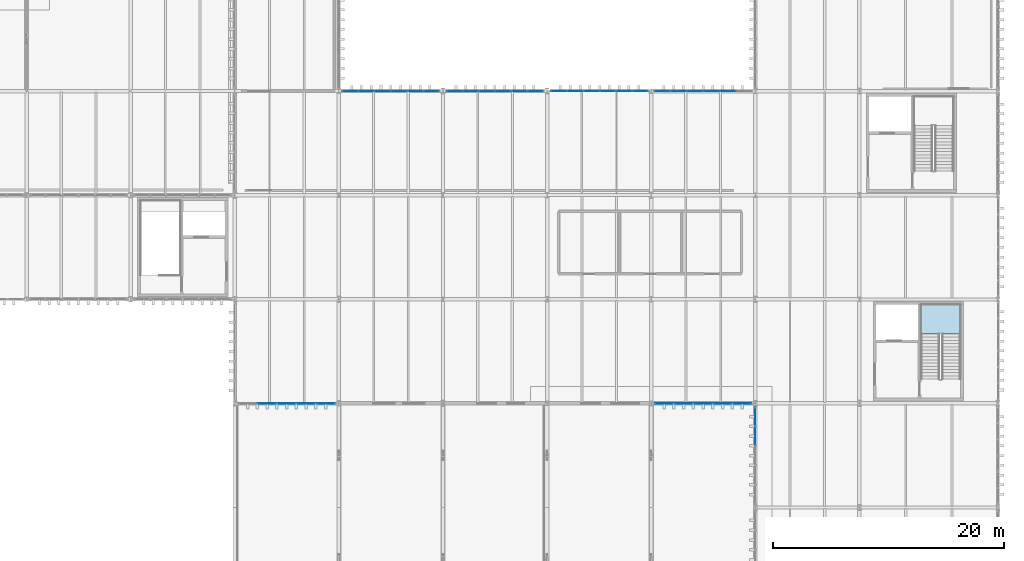
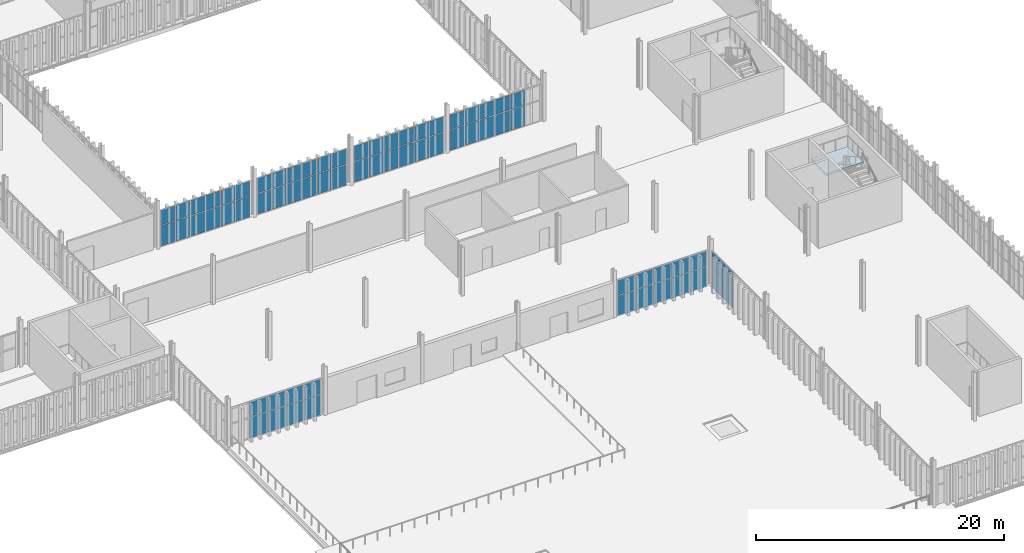
# One storey, part 166 of 196: 68 plates, 1 slab, 8 elements without a shape of their own.
"""IFC4 building model written with IfcOpenShell, lengths in metres."""

from ifc_helpers import new_model, si_unit, direction, frame, origin, origin_2d, place, context, subcontext, project, spatial, polyline, rectangle, outline, extrude, material, layer, layer_set, type_object, element, aggregate, save


model = new_model("IFC4")

# Units and contexts
model_context = context("Model", 3, precision=1e-05, world=origin(), true_north=direction((0.0, 1.0)))
body_context = subcontext(model_context, "Body", "Model", "MODEL_VIEW")
ifc_project = project(units=[si_unit("LENGTHUNIT", "METRE"), si_unit("AREAUNIT", "SQUARE_METRE"), si_unit("VOLUMEUNIT", "CUBIC_METRE"), si_unit("PLANEANGLEUNIT", "RADIAN"), si_unit("MASSUNIT", "GRAM", prefix="KILO")], contexts=[model_context])

# Site, building, storey
site_placement = place(None, origin())
site = spatial("IfcSite", under=ifc_project, at=site_placement, CompositionType="ELEMENT")
building_placement = place(site_placement, origin())
building = spatial("IfcBuilding", under=site, at=building_placement, Name="Barlavento Convention Centre", CompositionType="ELEMENT")
storey_placement = place(building_placement, frame((0.0, 0.0, 18.0)))
storey = spatial("IfcBuildingStorey", under=building, at=storey_placement, Name="L03", CompositionType="ELEMENT", Elevation=18.0)

# Curtain wall, plates
ifc_material_1 = material(Name="Powder-coated aluminium and Low-E glass", Category="aluminium")
ifc_layer_1 = layer(ifc_material_1, 0.179931640625)
ifc_layer_set_1 = layer_set([ifc_layer_1], Name="ARC-CW-PATIO-B")
curtain_wall_type_1 = type_object("IfcCurtainWallType", Name="ARC-CW-PATIO-B", PredefinedType="NOTDEFINED", material=ifc_layer_set_1)
curtain_wall_1_placement = place(storey_placement, origin())
curtain_wall_1 = element("IfcCurtainWall", 1, at=curtain_wall_1_placement, inside=storey, type_object=curtain_wall_type_1, Name="L03 unitised curtain wall CW12", PredefinedType="NOTDEFINED")
ifc_material_2 = material(Name="Double-silver Low-E insulated glass", Category="glass")
ifc_layer_2 = layer(ifc_material_2, 0.028076171875)
ifc_layer_set_2 = layer_set([ifc_layer_2], Name="ARC-CWP-GLZ28")
plate_type = type_object("IfcPlateType", Name="ARC-CWP-GLZ28", PredefinedType="CURTAIN_PANEL", material=ifc_layer_set_2)
plate_1_placement = place(storey_placement, frame((135.9794921875, 63.0, 0.06005859375), z_axis=(0.0, 0.0, 1.0), x_axis=(1.0, 0.0, 0.0)))
plate_1 = element("IfcPlate", 2, at=plate_1_placement, type_object=plate_type, Name="CW12 panel 1.1", PredefinedType="CURTAIN_PANEL", context=body_context, shape_type="SweptSolid", body=[
    extrude(rectangle(XDim=1.319091796875, YDim=0.028076171875, at=origin_2d()), origin(), (0.0, 0.0, 1.0), 2.010009765625),
])
plate_2_placement = place(storey_placement, frame((135.9794921875, 63.0, 2.130126953125), z_axis=(0.0, 0.0, 1.0), x_axis=(1.0, 0.0, 0.0)))
plate_2 = element("IfcPlate", 3, at=plate_2_placement, type_object=plate_type, Name="CW12 panel 1.2", PredefinedType="CURTAIN_PANEL", context=body_context, shape_type="SweptSolid", body=[
    extrude(rectangle(XDim=1.319091796875, YDim=0.028076171875, at=origin_2d()), origin(), (0.0, 0.0, 1.0), 1.4599609375),
])
plate_3_placement = place(storey_placement, frame((137.373779296875, 63.0, 0.06005859375), z_axis=(0.0, 0.0, 1.0), x_axis=(1.0, 0.0, 0.0)))
plate_3 = element("IfcPlate", 4, at=plate_3_placement, type_object=plate_type, Name="CW12 panel 2.1", PredefinedType="CURTAIN_PANEL", context=body_context, shape_type="SweptSolid", body=[
    extrude(rectangle(XDim=1.34912109375, YDim=0.028076171875, at=origin_2d()), origin(), (0.0, 0.0, 1.0), 2.010009765625),
])
plate_4_placement = place(storey_placement, frame((137.373779296875, 63.0, 2.130126953125), z_axis=(0.0, 0.0, 1.0), x_axis=(1.0, 0.0, 0.0)))
plate_4 = element("IfcPlate", 5, at=plate_4_placement, type_object=plate_type, Name="CW12 panel 2.2", PredefinedType="CURTAIN_PANEL", context=body_context, shape_type="SweptSolid", body=[
    extrude(rectangle(XDim=1.34912109375, YDim=0.028076171875, at=origin_2d()), origin(), (0.0, 0.0, 1.0), 1.4599609375),
])
plate_5_placement = place(storey_placement, frame((138.782958984375, 63.0, 0.06005859375), z_axis=(0.0, 0.0, 1.0), x_axis=(1.0, 0.0, 0.0)))
plate_5 = element("IfcPlate", 6, at=plate_5_placement, type_object=plate_type, Name="CW12 panel 3.1", PredefinedType="CURTAIN_PANEL", context=body_context, shape_type="SweptSolid", body=[
    extrude(rectangle(XDim=1.34912109375, YDim=0.028076171875, at=origin_2d()), origin(), (0.0, 0.0, 1.0), 2.010009765625),
])
plate_6_placement = place(storey_placement, frame((138.782958984375, 63.0, 2.130126953125), z_axis=(0.0, 0.0, 1.0), x_axis=(1.0, 0.0, 0.0)))
plate_6 = element("IfcPlate", 7, at=plate_6_placement, type_object=plate_type, Name="CW12 panel 3.2", PredefinedType="CURTAIN_PANEL", context=body_context, shape_type="SweptSolid", body=[
    extrude(rectangle(XDim=1.34912109375, YDim=0.028076171875, at=origin_2d()), origin(), (0.0, 0.0, 1.0), 1.4599609375),
])
plate_7_placement = place(storey_placement, frame((140.192138671875, 63.0, 0.06005859375), z_axis=(0.0, 0.0, 1.0), x_axis=(1.0, 0.0, 0.0)))
plate_7 = element("IfcPlate", 8, at=plate_7_placement, type_object=plate_type, Name="CW12 panel 4.1", PredefinedType="CURTAIN_PANEL", context=body_context, shape_type="SweptSolid", body=[
    extrude(rectangle(XDim=1.34912109375, YDim=0.028076171875, at=origin_2d()), origin(), (0.0, 0.0, 1.0), 2.010009765625),
])
plate_8_placement = place(storey_placement, frame((140.192138671875, 63.0, 2.130126953125), z_axis=(0.0, 0.0, 1.0), x_axis=(1.0, 0.0, 0.0)))
plate_8 = element("IfcPlate", 9, at=plate_8_placement, type_object=plate_type, Name="CW12 panel 4.2", PredefinedType="CURTAIN_PANEL", context=body_context, shape_type="SweptSolid", body=[
    extrude(rectangle(XDim=1.34912109375, YDim=0.028076171875, at=origin_2d()), origin(), (0.0, 0.0, 1.0), 1.4599609375),
])
plate_9_placement = place(storey_placement, frame((141.601318359375, 63.0, 0.06005859375), z_axis=(0.0, 0.0, 1.0), x_axis=(1.0, 0.0, 0.0)))
plate_9 = element("IfcPlate", 10, at=plate_9_placement, type_object=plate_type, Name="CW12 panel 5.1", PredefinedType="CURTAIN_PANEL", context=body_context, shape_type="SweptSolid", body=[
    extrude(rectangle(XDim=1.34912109375, YDim=0.028076171875, at=origin_2d()), origin(), (0.0, 0.0, 1.0), 2.010009765625),
])
plate_10_placement = place(storey_placement, frame((141.601318359375, 63.0, 2.130126953125), z_axis=(0.0, 0.0, 1.0), x_axis=(1.0, 0.0, 0.0)))
plate_10 = element("IfcPlate", 11, at=plate_10_placement, type_object=plate_type, Name="CW12 panel 5.2", PredefinedType="CURTAIN_PANEL", context=body_context, shape_type="SweptSolid", body=[
    extrude(rectangle(XDim=1.34912109375, YDim=0.028076171875, at=origin_2d()), origin(), (0.0, 0.0, 1.0), 1.4599609375),
])
plate_11_placement = place(storey_placement, frame((142.995361328125, 63.0, 0.06005859375), z_axis=(0.0, 0.0, 1.0), x_axis=(1.0, 0.0, 0.0)))
plate_11 = element("IfcPlate", 12, at=plate_11_placement, type_object=plate_type, Name="CW12 panel 6.1", PredefinedType="CURTAIN_PANEL", context=body_context, shape_type="SweptSolid", body=[
    extrude(rectangle(XDim=1.319091796875, YDim=0.028076171875, at=origin_2d()), origin(), (0.0, 0.0, 1.0), 2.010009765625),
])
plate_12_placement = place(storey_placement, frame((142.995361328125, 63.0, 2.130126953125), z_axis=(0.0, 0.0, 1.0), x_axis=(1.0, 0.0, 0.0)))
plate_12 = element("IfcPlate", 13, at=plate_12_placement, type_object=plate_type, Name="CW12 panel 6.2", PredefinedType="CURTAIN_PANEL", context=body_context, shape_type="SweptSolid", body=[
    extrude(rectangle(XDim=1.319091796875, YDim=0.028076171875, at=origin_2d()), origin(), (0.0, 0.0, 1.0), 1.4599609375),
])
aggregate(curtain_wall_1, [plate_1, plate_2, plate_3, plate_4, plate_5, plate_6, plate_7, plate_8, plate_9, plate_10, plate_11, plate_12])

curtain_wall_2_placement = place(storey_placement, origin())
curtain_wall_2 = element("IfcCurtainWall", 14, at=curtain_wall_2_placement, inside=storey, type_object=curtain_wall_type_1, Name="L03 unitised curtain wall CW12", PredefinedType="NOTDEFINED")
plate_13_placement = place(storey_placement, frame((145.00048828125, 63.0, 0.06005859375), z_axis=(0.0, 0.0, 1.0), x_axis=(1.0, 0.0, 0.0)))
plate_13 = element("IfcPlate", 15, at=plate_13_placement, type_object=plate_type, Name="CW12 panel 1.1", PredefinedType="CURTAIN_PANEL", context=body_context, shape_type="SweptSolid", body=[
    extrude(rectangle(XDim=1.310791015625, YDim=0.028076171875, at=origin_2d()), origin(), (0.0, 0.0, 1.0), 2.010009765625),
])
plate_14_placement = place(storey_placement, frame((145.00048828125, 63.0, 2.130126953125), z_axis=(0.0, 0.0, 1.0), x_axis=(1.0, 0.0, 0.0)))
plate_14 = element("IfcPlate", 16, at=plate_14_placement, type_object=plate_type, Name="CW12 panel 1.2", PredefinedType="CURTAIN_PANEL", context=body_context, shape_type="SweptSolid", body=[
    extrude(rectangle(XDim=1.310791015625, YDim=0.028076171875, at=origin_2d()), origin(), (0.0, 0.0, 1.0), 1.4599609375),
])
plate_15_placement = place(storey_placement, frame((146.38623046875, 63.0, 0.06005859375), z_axis=(0.0, 0.0, 1.0), x_axis=(1.0, 0.0, 0.0)))
plate_15 = element("IfcPlate", 17, at=plate_15_placement, type_object=plate_type, Name="CW12 panel 2.1", PredefinedType="CURTAIN_PANEL", context=body_context, shape_type="SweptSolid", body=[
    extrude(rectangle(XDim=1.3408203125, YDim=0.028076171875, at=origin_2d()), origin(), (0.0, 0.0, 1.0), 2.010009765625),
])
plate_16_placement = place(storey_placement, frame((146.38623046875, 63.0, 2.130126953125), z_axis=(0.0, 0.0, 1.0), x_axis=(1.0, 0.0, 0.0)))
plate_16 = element("IfcPlate", 18, at=plate_16_placement, type_object=plate_type, Name="CW12 panel 2.2", PredefinedType="CURTAIN_PANEL", context=body_context, shape_type="SweptSolid", body=[
    extrude(rectangle(XDim=1.3408203125, YDim=0.028076171875, at=origin_2d()), origin(), (0.0, 0.0, 1.0), 1.4599609375),
])
plate_17_placement = place(storey_placement, frame((147.787109375, 63.0, 0.06005859375), z_axis=(0.0, 0.0, 1.0), x_axis=(1.0, 0.0, 0.0)))
plate_17 = element("IfcPlate", 19, at=plate_17_placement, type_object=plate_type, Name="CW12 panel 3.1", PredefinedType="CURTAIN_PANEL", context=body_context, shape_type="SweptSolid", body=[
    extrude(rectangle(XDim=1.3408203125, YDim=0.028076171875, at=origin_2d()), origin(), (0.0, 0.0, 1.0), 2.010009765625),
])
plate_18_placement = place(storey_placement, frame((147.787109375, 63.0, 2.130126953125), z_axis=(0.0, 0.0, 1.0), x_axis=(1.0, 0.0, 0.0)))
plate_18 = element("IfcPlate", 20, at=plate_18_placement, type_object=plate_type, Name="CW12 panel 3.2", PredefinedType="CURTAIN_PANEL", context=body_context, shape_type="SweptSolid", body=[
    extrude(rectangle(XDim=1.3408203125, YDim=0.028076171875, at=origin_2d()), origin(), (0.0, 0.0, 1.0), 1.4599609375),
])
plate_19_placement = place(storey_placement, frame((149.18798828125, 63.0, 0.06005859375), z_axis=(0.0, 0.0, 1.0), x_axis=(1.0, 0.0, 0.0)))
plate_19 = element("IfcPlate", 21, at=plate_19_placement, type_object=plate_type, Name="CW12 panel 4.1", PredefinedType="CURTAIN_PANEL", context=body_context, shape_type="SweptSolid", body=[
    extrude(rectangle(XDim=1.3408203125, YDim=0.028076171875, at=origin_2d()), origin(), (0.0, 0.0, 1.0), 2.010009765625),
])
plate_20_placement = place(storey_placement, frame((149.18798828125, 63.0, 2.130126953125), z_axis=(0.0, 0.0, 1.0), x_axis=(1.0, 0.0, 0.0)))
plate_20 = element("IfcPlate", 22, at=plate_20_placement, type_object=plate_type, Name="CW12 panel 4.2", PredefinedType="CURTAIN_PANEL", context=body_context, shape_type="SweptSolid", body=[
    extrude(rectangle(XDim=1.3408203125, YDim=0.028076171875, at=origin_2d()), origin(), (0.0, 0.0, 1.0), 1.4599609375),
])
plate_21_placement = place(storey_placement, frame((150.5888671875, 63.0, 0.06005859375), z_axis=(0.0, 0.0, 1.0), x_axis=(1.0, 0.0, 0.0)))
plate_21 = element("IfcPlate", 23, at=plate_21_placement, type_object=plate_type, Name="CW12 panel 5.1", PredefinedType="CURTAIN_PANEL", context=body_context, shape_type="SweptSolid", body=[
    extrude(rectangle(XDim=1.3408203125, YDim=0.028076171875, at=origin_2d()), origin(), (0.0, 0.0, 1.0), 2.010009765625),
])
plate_22_placement = place(storey_placement, frame((150.5888671875, 63.0, 2.130126953125), z_axis=(0.0, 0.0, 1.0), x_axis=(1.0, 0.0, 0.0)))
plate_22 = element("IfcPlate", 24, at=plate_22_placement, type_object=plate_type, Name="CW12 panel 5.2", PredefinedType="CURTAIN_PANEL", context=body_context, shape_type="SweptSolid", body=[
    extrude(rectangle(XDim=1.3408203125, YDim=0.028076171875, at=origin_2d()), origin(), (0.0, 0.0, 1.0), 1.4599609375),
])
plate_23_placement = place(storey_placement, frame((151.974609375, 63.0, 0.06005859375), z_axis=(0.0, 0.0, 1.0), x_axis=(1.0, 0.0, 0.0)))
plate_23 = element("IfcPlate", 25, at=plate_23_placement, type_object=plate_type, Name="CW12 panel 6.1", PredefinedType="CURTAIN_PANEL", context=body_context, shape_type="SweptSolid", body=[
    extrude(rectangle(XDim=1.310791015625, YDim=0.028076171875, at=origin_2d()), origin(), (0.0, 0.0, 1.0), 2.010009765625),
])
plate_24_placement = place(storey_placement, frame((151.974609375, 63.0, 2.130126953125), z_axis=(0.0, 0.0, 1.0), x_axis=(1.0, 0.0, 0.0)))
plate_24 = element("IfcPlate", 26, at=plate_24_placement, type_object=plate_type, Name="CW12 panel 6.2", PredefinedType="CURTAIN_PANEL", context=body_context, shape_type="SweptSolid", body=[
    extrude(rectangle(XDim=1.310791015625, YDim=0.028076171875, at=origin_2d()), origin(), (0.0, 0.0, 1.0), 1.4599609375),
])
aggregate(curtain_wall_2, [plate_13, plate_14, plate_15, plate_16, plate_17, plate_18, plate_19, plate_20, plate_21, plate_22, plate_23, plate_24])

curtain_wall_3_placement = place(storey_placement, origin())
curtain_wall_3 = element("IfcCurtainWall", 27, at=curtain_wall_3_placement, inside=storey, type_object=curtain_wall_type_1, Name="L03 unitised curtain wall CW12", PredefinedType="NOTDEFINED")
plate_25_placement = place(storey_placement, frame((154.030029296875, 63.0, 0.06005859375), z_axis=(0.0, 0.0, 1.0), x_axis=(1.0, 0.0, 0.0)))
plate_25 = element("IfcPlate", 28, at=plate_25_placement, type_object=plate_type, Name="CW12 panel 1.1", PredefinedType="CURTAIN_PANEL", context=body_context, shape_type="SweptSolid", body=[
    extrude(rectangle(XDim=1.320068359375, YDim=0.028076171875, at=origin_2d()), origin(), (0.0, 0.0, 1.0), 2.010009765625),
])
plate_26_placement = place(storey_placement, frame((154.030029296875, 63.0, 2.130126953125), z_axis=(0.0, 0.0, 1.0), x_axis=(1.0, 0.0, 0.0)))
plate_26 = element("IfcPlate", 29, at=plate_26_placement, type_object=plate_type, Name="CW12 panel 1.2", PredefinedType="CURTAIN_PANEL", context=body_context, shape_type="SweptSolid", body=[
    extrude(rectangle(XDim=1.320068359375, YDim=0.028076171875, at=origin_2d()), origin(), (0.0, 0.0, 1.0), 1.4599609375),
])
plate_27_placement = place(storey_placement, frame((155.425048828125, 63.0, 0.06005859375), z_axis=(0.0, 0.0, 1.0), x_axis=(1.0, 0.0, 0.0)))
plate_27 = element("IfcPlate", 30, at=plate_27_placement, type_object=plate_type, Name="CW12 panel 2.1", PredefinedType="CURTAIN_PANEL", context=body_context, shape_type="SweptSolid", body=[
    extrude(rectangle(XDim=1.35009765625, YDim=0.028076171875, at=origin_2d()), origin(), (0.0, 0.0, 1.0), 2.010009765625),
])
plate_28_placement = place(storey_placement, frame((155.425048828125, 63.0, 2.130126953125), z_axis=(0.0, 0.0, 1.0), x_axis=(1.0, 0.0, 0.0)))
plate_28 = element("IfcPlate", 31, at=plate_28_placement, type_object=plate_type, Name="CW12 panel 2.2", PredefinedType="CURTAIN_PANEL", context=body_context, shape_type="SweptSolid", body=[
    extrude(rectangle(XDim=1.35009765625, YDim=0.028076171875, at=origin_2d()), origin(), (0.0, 0.0, 1.0), 1.4599609375),
])
plate_29_placement = place(storey_placement, frame((156.8349609375, 63.0, 0.06005859375), z_axis=(0.0, 0.0, 1.0), x_axis=(1.0, 0.0, 0.0)))
plate_29 = element("IfcPlate", 32, at=plate_29_placement, type_object=plate_type, Name="CW12 panel 3.1", PredefinedType="CURTAIN_PANEL", context=body_context, shape_type="SweptSolid", body=[
    extrude(rectangle(XDim=1.35009765625, YDim=0.028076171875, at=origin_2d()), origin(), (0.0, 0.0, 1.0), 2.010009765625),
])
plate_30_placement = place(storey_placement, frame((156.8349609375, 63.0, 2.130126953125), z_axis=(0.0, 0.0, 1.0), x_axis=(1.0, 0.0, 0.0)))
plate_30 = element("IfcPlate", 33, at=plate_30_placement, type_object=plate_type, Name="CW12 panel 3.2", PredefinedType="CURTAIN_PANEL", context=body_context, shape_type="SweptSolid", body=[
    extrude(rectangle(XDim=1.35009765625, YDim=0.028076171875, at=origin_2d()), origin(), (0.0, 0.0, 1.0), 1.4599609375),
])
plate_31_placement = place(storey_placement, frame((158.2451171875, 63.0, 0.06005859375), z_axis=(0.0, 0.0, 1.0), x_axis=(1.0, 0.0, 0.0)))
plate_31 = element("IfcPlate", 34, at=plate_31_placement, type_object=plate_type, Name="CW12 panel 4.1", PredefinedType="CURTAIN_PANEL", context=body_context, shape_type="SweptSolid", body=[
    extrude(rectangle(XDim=1.35009765625, YDim=0.028076171875, at=origin_2d()), origin(), (0.0, 0.0, 1.0), 2.010009765625),
])
plate_32_placement = place(storey_placement, frame((158.2451171875, 63.0, 2.130126953125), z_axis=(0.0, 0.0, 1.0), x_axis=(1.0, 0.0, 0.0)))
plate_32 = element("IfcPlate", 35, at=plate_32_placement, type_object=plate_type, Name="CW12 panel 4.2", PredefinedType="CURTAIN_PANEL", context=body_context, shape_type="SweptSolid", body=[
    extrude(rectangle(XDim=1.35009765625, YDim=0.028076171875, at=origin_2d()), origin(), (0.0, 0.0, 1.0), 1.4599609375),
])
plate_33_placement = place(storey_placement, frame((159.655029296875, 63.0, 0.06005859375), z_axis=(0.0, 0.0, 1.0), x_axis=(1.0, 0.0, 0.0)))
plate_33 = element("IfcPlate", 36, at=plate_33_placement, type_object=plate_type, Name="CW12 panel 5.1", PredefinedType="CURTAIN_PANEL", context=body_context, shape_type="SweptSolid", body=[
    extrude(rectangle(XDim=1.35009765625, YDim=0.028076171875, at=origin_2d()), origin(), (0.0, 0.0, 1.0), 2.010009765625),
])
plate_34_placement = place(storey_placement, frame((159.655029296875, 63.0, 2.130126953125), z_axis=(0.0, 0.0, 1.0), x_axis=(1.0, 0.0, 0.0)))
plate_34 = element("IfcPlate", 37, at=plate_34_placement, type_object=plate_type, Name="CW12 panel 5.2", PredefinedType="CURTAIN_PANEL", context=body_context, shape_type="SweptSolid", body=[
    extrude(rectangle(XDim=1.35009765625, YDim=0.028076171875, at=origin_2d()), origin(), (0.0, 0.0, 1.0), 1.4599609375),
])
plate_35_placement = place(storey_placement, frame((161.050048828125, 63.0, 0.06005859375), z_axis=(0.0, 0.0, 1.0), x_axis=(1.0, 0.0, 0.0)))
plate_35 = element("IfcPlate", 38, at=plate_35_placement, type_object=plate_type, Name="CW12 panel 6.1", PredefinedType="CURTAIN_PANEL", context=body_context, shape_type="SweptSolid", body=[
    extrude(rectangle(XDim=1.320068359375, YDim=0.028076171875, at=origin_2d()), origin(), (0.0, 0.0, 1.0), 2.010009765625),
])
plate_36_placement = place(storey_placement, frame((161.050048828125, 63.0, 2.130126953125), z_axis=(0.0, 0.0, 1.0), x_axis=(1.0, 0.0, 0.0)))
plate_36 = element("IfcPlate", 39, at=plate_36_placement, type_object=plate_type, Name="CW12 panel 6.2", PredefinedType="CURTAIN_PANEL", context=body_context, shape_type="SweptSolid", body=[
    extrude(rectangle(XDim=1.320068359375, YDim=0.028076171875, at=origin_2d()), origin(), (0.0, 0.0, 1.0), 1.4599609375),
])
aggregate(curtain_wall_3, [plate_25, plate_26, plate_27, plate_28, plate_29, plate_30, plate_31, plate_32, plate_33, plate_34, plate_35, plate_36])

curtain_wall_4_placement = place(storey_placement, origin())
curtain_wall_4 = element("IfcCurtainWall", 40, at=curtain_wall_4_placement, inside=storey, type_object=curtain_wall_type_1, Name="L03 unitised curtain wall CW12", PredefinedType="NOTDEFINED")
plate_37_placement = place(storey_placement, frame((162.9541015625, 63.0, 0.06005859375), z_axis=(0.0, 0.0, 1.0), x_axis=(1.0, 0.0, 0.0)))
plate_37 = element("IfcPlate", 41, at=plate_37_placement, type_object=plate_type, Name="CW12 panel 1.1", PredefinedType="CURTAIN_PANEL", context=body_context, shape_type="SweptSolid", body=[
    extrude(rectangle(XDim=1.328369140625, YDim=0.028076171875, at=origin_2d()), origin(), (0.0, 0.0, 1.0), 2.010009765625),
])
plate_38_placement = place(storey_placement, frame((162.9541015625, 63.0, 2.130126953125), z_axis=(0.0, 0.0, 1.0), x_axis=(1.0, 0.0, 0.0)))
plate_38 = element("IfcPlate", 42, at=plate_38_placement, type_object=plate_type, Name="CW12 panel 1.2", PredefinedType="CURTAIN_PANEL", context=body_context, shape_type="SweptSolid", body=[
    extrude(rectangle(XDim=1.328369140625, YDim=0.028076171875, at=origin_2d()), origin(), (0.0, 0.0, 1.0), 1.4599609375),
])
plate_39_placement = place(storey_placement, frame((164.357421875, 63.0, 0.06005859375), z_axis=(0.0, 0.0, 1.0), x_axis=(1.0, 0.0, 0.0)))
plate_39 = element("IfcPlate", 43, at=plate_39_placement, type_object=plate_type, Name="CW12 panel 2.1", PredefinedType="CURTAIN_PANEL", context=body_context, shape_type="SweptSolid", body=[
    extrude(rectangle(XDim=1.3583984375, YDim=0.028076171875, at=origin_2d()), origin(), (0.0, 0.0, 1.0), 2.010009765625),
])
plate_40_placement = place(storey_placement, frame((164.357421875, 63.0, 2.130126953125), z_axis=(0.0, 0.0, 1.0), x_axis=(1.0, 0.0, 0.0)))
plate_40 = element("IfcPlate", 44, at=plate_40_placement, type_object=plate_type, Name="CW12 panel 2.2", PredefinedType="CURTAIN_PANEL", context=body_context, shape_type="SweptSolid", body=[
    extrude(rectangle(XDim=1.3583984375, YDim=0.028076171875, at=origin_2d()), origin(), (0.0, 0.0, 1.0), 1.4599609375),
])
plate_41_placement = place(storey_placement, frame((165.77587890625, 63.0, 0.06005859375), z_axis=(0.0, 0.0, 1.0), x_axis=(1.0, 0.0, 0.0)))
plate_41 = element("IfcPlate", 45, at=plate_41_placement, type_object=plate_type, Name="CW12 panel 3.1", PredefinedType="CURTAIN_PANEL", context=body_context, shape_type="SweptSolid", body=[
    extrude(rectangle(XDim=1.3583984375, YDim=0.028076171875, at=origin_2d()), origin(), (0.0, 0.0, 1.0), 2.010009765625),
])
plate_42_placement = place(storey_placement, frame((165.77587890625, 63.0, 2.130126953125), z_axis=(0.0, 0.0, 1.0), x_axis=(1.0, 0.0, 0.0)))
plate_42 = element("IfcPlate", 46, at=plate_42_placement, type_object=plate_type, Name="CW12 panel 3.2", PredefinedType="CURTAIN_PANEL", context=body_context, shape_type="SweptSolid", body=[
    extrude(rectangle(XDim=1.3583984375, YDim=0.028076171875, at=origin_2d()), origin(), (0.0, 0.0, 1.0), 1.4599609375),
])
plate_43_placement = place(storey_placement, frame((167.194091796875, 63.0, 0.06005859375), z_axis=(0.0, 0.0, 1.0), x_axis=(1.0, 0.0, 0.0)))
plate_43 = element("IfcPlate", 47, at=plate_43_placement, type_object=plate_type, Name="CW12 panel 4.1", PredefinedType="CURTAIN_PANEL", context=body_context, shape_type="SweptSolid", body=[
    extrude(rectangle(XDim=1.3583984375, YDim=0.028076171875, at=origin_2d()), origin(), (0.0, 0.0, 1.0), 2.010009765625),
])
plate_44_placement = place(storey_placement, frame((167.194091796875, 63.0, 2.130126953125), z_axis=(0.0, 0.0, 1.0), x_axis=(1.0, 0.0, 0.0)))
plate_44 = element("IfcPlate", 48, at=plate_44_placement, type_object=plate_type, Name="CW12 panel 4.2", PredefinedType="CURTAIN_PANEL", context=body_context, shape_type="SweptSolid", body=[
    extrude(rectangle(XDim=1.3583984375, YDim=0.028076171875, at=origin_2d()), origin(), (0.0, 0.0, 1.0), 1.4599609375),
])
plate_45_placement = place(storey_placement, frame((168.612548828125, 63.0, 0.06005859375), z_axis=(0.0, 0.0, 1.0), x_axis=(1.0, 0.0, 0.0)))
plate_45 = element("IfcPlate", 49, at=plate_45_placement, type_object=plate_type, Name="CW12 panel 5.1", PredefinedType="CURTAIN_PANEL", context=body_context, shape_type="SweptSolid", body=[
    extrude(rectangle(XDim=1.3583984375, YDim=0.028076171875, at=origin_2d()), origin(), (0.0, 0.0, 1.0), 2.010009765625),
])
plate_46_placement = place(storey_placement, frame((168.612548828125, 63.0, 2.130126953125), z_axis=(0.0, 0.0, 1.0), x_axis=(1.0, 0.0, 0.0)))
plate_46 = element("IfcPlate", 50, at=plate_46_placement, type_object=plate_type, Name="CW12 panel 5.2", PredefinedType="CURTAIN_PANEL", context=body_context, shape_type="SweptSolid", body=[
    extrude(rectangle(XDim=1.3583984375, YDim=0.028076171875, at=origin_2d()), origin(), (0.0, 0.0, 1.0), 1.4599609375),
])
aggregate(curtain_wall_4, [plate_37, plate_38, plate_39, plate_40, plate_41, plate_42, plate_43, plate_44, plate_45, plate_46])

ifc_layer_3 = layer(ifc_material_1, 0.179931640625)
ifc_layer_set_3 = layer_set([ifc_layer_3], Name="ARC-CW-CONF-L03")
curtain_wall_type_2 = type_object("IfcCurtainWallType", Name="ARC-CW-CONF-L03", PredefinedType="NOTDEFINED", material=ifc_layer_set_3)
curtain_wall_5_placement = place(storey_placement, origin())
curtain_wall_5 = element("IfcCurtainWall", 51, at=curtain_wall_5_placement, inside=storey, type_object=curtain_wall_type_2, Name="L03 unitised curtain wall CW08", PredefinedType="NOTDEFINED")
plate_47_placement = place(storey_placement, frame((128.800537109375, 36.0, 0.06005859375), z_axis=(0.0, 0.0, 1.0), x_axis=(1.0, 0.0, 0.0)))
plate_47 = element("IfcPlate", 52, at=plate_47_placement, type_object=plate_type, Name="CW08 panel 2.1", PredefinedType="CURTAIN_PANEL", context=body_context, shape_type="SweptSolid", body=[
    extrude(rectangle(XDim=1.626953125, YDim=0.028076171875, at=origin_2d()), origin(), (0.0, 0.0, 1.0), 2.010009765625),
])
plate_48_placement = place(storey_placement, frame((128.800537109375, 36.0, 2.130126953125), z_axis=(0.0, 0.0, 1.0), x_axis=(1.0, 0.0, 0.0)))
plate_48 = element("IfcPlate", 53, at=plate_48_placement, type_object=plate_type, Name="CW08 panel 2.2", PredefinedType="CURTAIN_PANEL", context=body_context, shape_type="SweptSolid", body=[
    extrude(rectangle(XDim=1.626953125, YDim=0.028076171875, at=origin_2d()), origin(), (0.0, 0.0, 1.0), 1.4599609375),
])
plate_49_placement = place(storey_placement, frame((130.487548828125, 36.0, 0.06005859375), z_axis=(0.0, 0.0, 1.0), x_axis=(1.0, 0.0, 0.0)))
plate_49 = element("IfcPlate", 54, at=plate_49_placement, type_object=plate_type, Name="CW08 panel 3.1", PredefinedType="CURTAIN_PANEL", context=body_context, shape_type="SweptSolid", body=[
    extrude(rectangle(XDim=1.626953125, YDim=0.028076171875, at=origin_2d()), origin(), (0.0, 0.0, 1.0), 2.010009765625),
])
plate_50_placement = place(storey_placement, frame((130.487548828125, 36.0, 2.130126953125), z_axis=(0.0, 0.0, 1.0), x_axis=(1.0, 0.0, 0.0)))
plate_50 = element("IfcPlate", 55, at=plate_50_placement, type_object=plate_type, Name="CW08 panel 3.2", PredefinedType="CURTAIN_PANEL", context=body_context, shape_type="SweptSolid", body=[
    extrude(rectangle(XDim=1.626953125, YDim=0.028076171875, at=origin_2d()), origin(), (0.0, 0.0, 1.0), 1.4599609375),
])
plate_51_placement = place(storey_placement, frame((132.174560546875, 36.0, 0.06005859375), z_axis=(0.0, 0.0, 1.0), x_axis=(1.0, 0.0, 0.0)))
plate_51 = element("IfcPlate", 56, at=plate_51_placement, type_object=plate_type, Name="CW08 panel 4.1", PredefinedType="CURTAIN_PANEL", context=body_context, shape_type="SweptSolid", body=[
    extrude(rectangle(XDim=1.626953125, YDim=0.028076171875, at=origin_2d()), origin(), (0.0, 0.0, 1.0), 2.010009765625),
])
plate_52_placement = place(storey_placement, frame((132.174560546875, 36.0, 2.130126953125), z_axis=(0.0, 0.0, 1.0), x_axis=(1.0, 0.0, 0.0)))
plate_52 = element("IfcPlate", 57, at=plate_52_placement, type_object=plate_type, Name="CW08 panel 4.2", PredefinedType="CURTAIN_PANEL", context=body_context, shape_type="SweptSolid", body=[
    extrude(rectangle(XDim=1.626953125, YDim=0.028076171875, at=origin_2d()), origin(), (0.0, 0.0, 1.0), 1.4599609375),
])
plate_53_placement = place(storey_placement, frame((133.846435546875, 36.0, 0.06005859375), z_axis=(0.0, 0.0, 1.0), x_axis=(1.0, 0.0, 0.0)))
plate_53 = element("IfcPlate", 58, at=plate_53_placement, type_object=plate_type, Name="CW08 panel 5.1", PredefinedType="CURTAIN_PANEL", context=body_context, shape_type="SweptSolid", body=[
    extrude(rectangle(XDim=1.596923828125, YDim=0.028076171875, at=origin_2d()), origin(), (0.0, 0.0, 1.0), 2.010009765625),
])
plate_54_placement = place(storey_placement, frame((133.846435546875, 36.0, 2.130126953125), z_axis=(0.0, 0.0, 1.0), x_axis=(1.0, 0.0, 0.0)))
plate_54 = element("IfcPlate", 59, at=plate_54_placement, type_object=plate_type, Name="CW08 panel 5.2", PredefinedType="CURTAIN_PANEL", context=body_context, shape_type="SweptSolid", body=[
    extrude(rectangle(XDim=1.596923828125, YDim=0.028076171875, at=origin_2d()), origin(), (0.0, 0.0, 1.0), 1.4599609375),
])
aggregate(curtain_wall_5, [plate_47, plate_48, plate_49, plate_50, plate_51, plate_52, plate_53, plate_54])

curtain_wall_6_placement = place(storey_placement, origin())
curtain_wall_6 = element("IfcCurtainWall", 60, at=curtain_wall_6_placement, inside=storey, type_object=curtain_wall_type_2, Name="L03 unitised curtain wall CW08", PredefinedType="NOTDEFINED")
plate_55_placement = place(storey_placement, frame((163.12841796875, 36.0, 0.06005859375), z_axis=(0.0, 0.0, 1.0), x_axis=(1.0, 0.0, 0.0)))
plate_55 = element("IfcPlate", 61, at=plate_55_placement, type_object=plate_type, Name="CW08 panel 1.1", PredefinedType="CURTAIN_PANEL", context=body_context, shape_type="SweptSolid", body=[
    extrude(rectangle(XDim=1.596923828125, YDim=0.028076171875, at=origin_2d()), origin(), (0.0, 0.0, 1.0), 2.010009765625),
])
plate_56_placement = place(storey_placement, frame((163.12841796875, 36.0, 2.130126953125), z_axis=(0.0, 0.0, 1.0), x_axis=(1.0, 0.0, 0.0)))
plate_56 = element("IfcPlate", 62, at=plate_56_placement, type_object=plate_type, Name="CW08 panel 1.2", PredefinedType="CURTAIN_PANEL", context=body_context, shape_type="SweptSolid", body=[
    extrude(rectangle(XDim=1.596923828125, YDim=0.028076171875, at=origin_2d()), origin(), (0.0, 0.0, 1.0), 1.4599609375),
])
plate_57_placement = place(storey_placement, frame((164.800537109375, 36.0, 0.06005859375), z_axis=(0.0, 0.0, 1.0), x_axis=(1.0, 0.0, 0.0)))
plate_57 = element("IfcPlate", 63, at=plate_57_placement, type_object=plate_type, Name="CW08 panel 2.1", PredefinedType="CURTAIN_PANEL", context=body_context, shape_type="SweptSolid", body=[
    extrude(rectangle(XDim=1.626953125, YDim=0.028076171875, at=origin_2d()), origin(), (0.0, 0.0, 1.0), 2.010009765625),
])
plate_58_placement = place(storey_placement, frame((164.800537109375, 36.0, 2.130126953125), z_axis=(0.0, 0.0, 1.0), x_axis=(1.0, 0.0, 0.0)))
plate_58 = element("IfcPlate", 64, at=plate_58_placement, type_object=plate_type, Name="CW08 panel 2.2", PredefinedType="CURTAIN_PANEL", context=body_context, shape_type="SweptSolid", body=[
    extrude(rectangle(XDim=1.626953125, YDim=0.028076171875, at=origin_2d()), origin(), (0.0, 0.0, 1.0), 1.4599609375),
])
plate_59_placement = place(storey_placement, frame((166.487548828125, 36.0, 0.06005859375), z_axis=(0.0, 0.0, 1.0), x_axis=(1.0, 0.0, 0.0)))
plate_59 = element("IfcPlate", 65, at=plate_59_placement, type_object=plate_type, Name="CW08 panel 3.1", PredefinedType="CURTAIN_PANEL", context=body_context, shape_type="SweptSolid", body=[
    extrude(rectangle(XDim=1.626953125, YDim=0.028076171875, at=origin_2d()), origin(), (0.0, 0.0, 1.0), 2.010009765625),
])
plate_60_placement = place(storey_placement, frame((166.487548828125, 36.0, 2.130126953125), z_axis=(0.0, 0.0, 1.0), x_axis=(1.0, 0.0, 0.0)))
plate_60 = element("IfcPlate", 66, at=plate_60_placement, type_object=plate_type, Name="CW08 panel 3.2", PredefinedType="CURTAIN_PANEL", context=body_context, shape_type="SweptSolid", body=[
    extrude(rectangle(XDim=1.626953125, YDim=0.028076171875, at=origin_2d()), origin(), (0.0, 0.0, 1.0), 1.4599609375),
])
plate_61_placement = place(storey_placement, frame((168.174560546875, 36.0, 0.06005859375), z_axis=(0.0, 0.0, 1.0), x_axis=(1.0, 0.0, 0.0)))
plate_61 = element("IfcPlate", 67, at=plate_61_placement, type_object=plate_type, Name="CW08 panel 4.1", PredefinedType="CURTAIN_PANEL", context=body_context, shape_type="SweptSolid", body=[
    extrude(rectangle(XDim=1.626953125, YDim=0.028076171875, at=origin_2d()), origin(), (0.0, 0.0, 1.0), 2.010009765625),
])
plate_62_placement = place(storey_placement, frame((168.174560546875, 36.0, 2.130126953125), z_axis=(0.0, 0.0, 1.0), x_axis=(1.0, 0.0, 0.0)))
plate_62 = element("IfcPlate", 68, at=plate_62_placement, type_object=plate_type, Name="CW08 panel 4.2", PredefinedType="CURTAIN_PANEL", context=body_context, shape_type="SweptSolid", body=[
    extrude(rectangle(XDim=1.626953125, YDim=0.028076171875, at=origin_2d()), origin(), (0.0, 0.0, 1.0), 1.4599609375),
])
plate_63_placement = place(storey_placement, frame((169.846435546875, 36.0, 0.06005859375), z_axis=(0.0, 0.0, 1.0), x_axis=(1.0, 0.0, 0.0)))
plate_63 = element("IfcPlate", 69, at=plate_63_placement, type_object=plate_type, Name="CW08 panel 5.1", PredefinedType="CURTAIN_PANEL", context=body_context, shape_type="SweptSolid", body=[
    extrude(rectangle(XDim=1.596923828125, YDim=0.028076171875, at=origin_2d()), origin(), (0.0, 0.0, 1.0), 2.010009765625),
])
plate_64_placement = place(storey_placement, frame((169.846435546875, 36.0, 2.130126953125), z_axis=(0.0, 0.0, 1.0), x_axis=(1.0, 0.0, 0.0)))
plate_64 = element("IfcPlate", 70, at=plate_64_placement, type_object=plate_type, Name="CW08 panel 5.2", PredefinedType="CURTAIN_PANEL", context=body_context, shape_type="SweptSolid", body=[
    extrude(rectangle(XDim=1.596923828125, YDim=0.028076171875, at=origin_2d()), origin(), (0.0, 0.0, 1.0), 1.4599609375),
])
aggregate(curtain_wall_6, [plate_55, plate_56, plate_57, plate_58, plate_59, plate_60, plate_61, plate_62, plate_63, plate_64])

curtain_wall_7_placement = place(storey_placement, origin())
curtain_wall_7 = element("IfcCurtainWall", 71, at=curtain_wall_7_placement, inside=storey, type_object=curtain_wall_type_2, Name="L03 unitised curtain wall CW08", PredefinedType="NOTDEFINED")
plate_65_placement = place(storey_placement, frame((171.0, 33.174560546875, 0.06005859375), z_axis=(0.0, 0.0, 1.0), x_axis=(0.0, 1.0, 0.0)))
plate_65 = element("IfcPlate", 72, at=plate_65_placement, type_object=plate_type, Name="CW08 panel 4.1", PredefinedType="CURTAIN_PANEL", context=body_context, shape_type="SweptSolid", body=[
    extrude(rectangle(XDim=1.626953125, YDim=0.028076171875, at=origin_2d()), origin(), (0.0, 0.0, 1.0), 2.010009765625),
])
plate_66_placement = place(storey_placement, frame((171.0, 33.174560546875, 2.130126953125), z_axis=(0.0, 0.0, 1.0), x_axis=(0.0, 1.0, 0.0)))
plate_66 = element("IfcPlate", 73, at=plate_66_placement, type_object=plate_type, Name="CW08 panel 4.2", PredefinedType="CURTAIN_PANEL", context=body_context, shape_type="SweptSolid", body=[
    extrude(rectangle(XDim=1.626953125, YDim=0.028076171875, at=origin_2d()), origin(), (0.0, 0.0, 1.0), 1.4599609375),
])
plate_67_placement = place(storey_placement, frame((171.0, 34.846435546875, 0.06005859375), z_axis=(0.0, 0.0, 1.0), x_axis=(0.0, 1.0, 0.0)))
plate_67 = element("IfcPlate", 74, at=plate_67_placement, type_object=plate_type, Name="CW08 panel 5.1", PredefinedType="CURTAIN_PANEL", context=body_context, shape_type="SweptSolid", body=[
    extrude(rectangle(XDim=1.596923828125, YDim=0.028076171875, at=origin_2d()), origin(), (0.0, 0.0, 1.0), 2.010009765625),
])
plate_68_placement = place(storey_placement, frame((171.0, 34.846435546875, 2.130126953125), z_axis=(0.0, 0.0, 1.0), x_axis=(0.0, 1.0, 0.0)))
plate_68 = element("IfcPlate", 75, at=plate_68_placement, type_object=plate_type, Name="CW08 panel 5.2", PredefinedType="CURTAIN_PANEL", context=body_context, shape_type="SweptSolid", body=[
    extrude(rectangle(XDim=1.596923828125, YDim=0.028076171875, at=origin_2d()), origin(), (0.0, 0.0, 1.0), 1.4599609375),
])
aggregate(curtain_wall_7, [plate_65, plate_66, plate_67, plate_68])

# Stair, slab
ifc_material_3 = material(Name="Concrete C40/50", Category="concrete")
stair_type = type_object("IfcStairType", Name="ARC-STR-DOG-1620", PredefinedType="HALF_TURN_STAIR", material=ifc_material_3)
stair_placement = place(storey_placement, origin())
stair = element("IfcStair", 76, at=stair_placement, inside=storey, type_object=stair_type, Name="L03 ST06", PredefinedType="HALF_TURN_STAIR")
ifc_layer_4 = layer(ifc_material_3, 0.199951171875)
ifc_layer_set_4 = layer_set([ifc_layer_4], Name="ARC-SLB-LND-200")
slab_type = type_object("IfcSlabType", Name="ARC-SLB-LND-200", PredefinedType="LANDING", material=ifc_layer_set_4)
slab_placement = place(storey_placement, frame((0.0, 0.0, 2.199951171875)))
slab = element("IfcSlab", 77, at=slab_placement, type_object=slab_type, Name="ST06 landing 1", PredefinedType="LANDING", context=body_context, shape_type="SweptSolid", body=[
    extrude(outline(polyline([(188.75, 42.010009765625), (188.75, 44.530029296875), (185.31005859375, 44.530029296875), (185.31005859375, 42.010009765625), (188.75, 42.010009765625)])), origin(), (0.0, 0.0, 1.0), 0.199951171875),
])
aggregate(stair, [slab])

save(model, "model.ifc")
